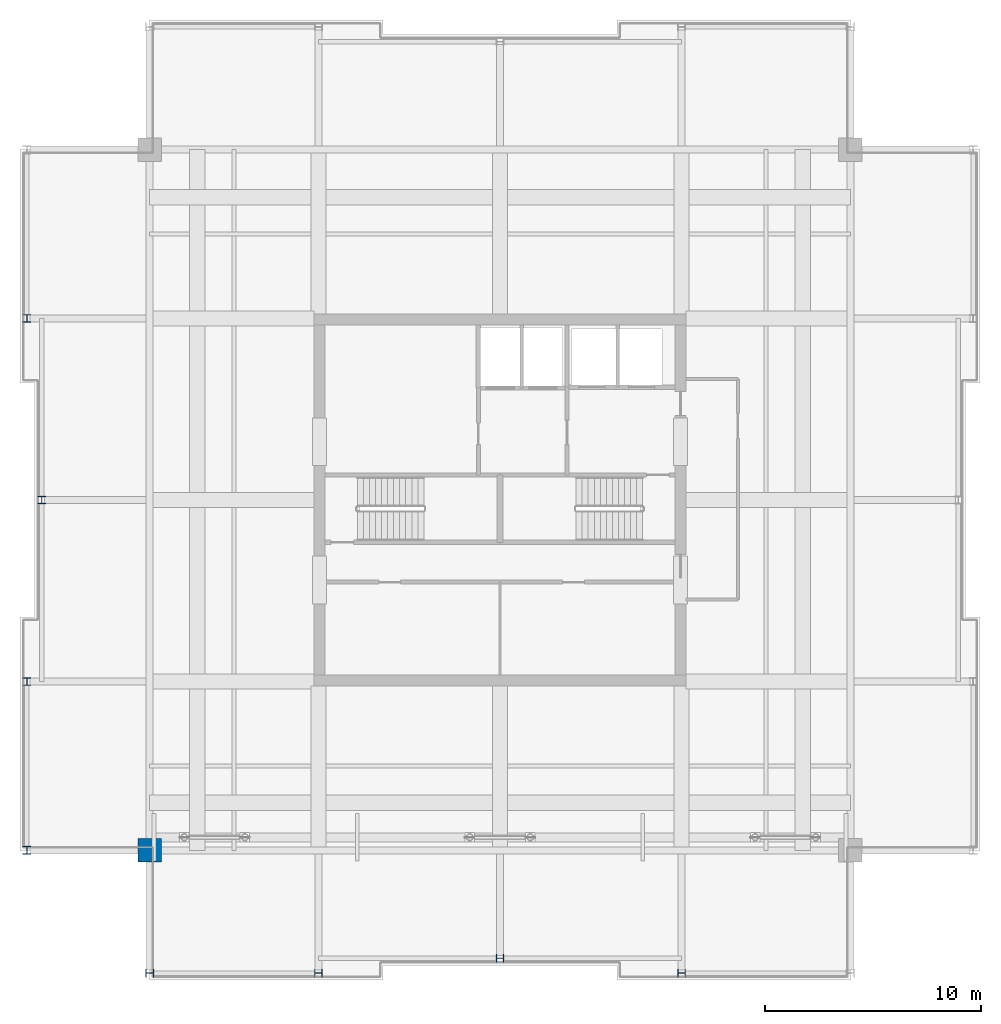
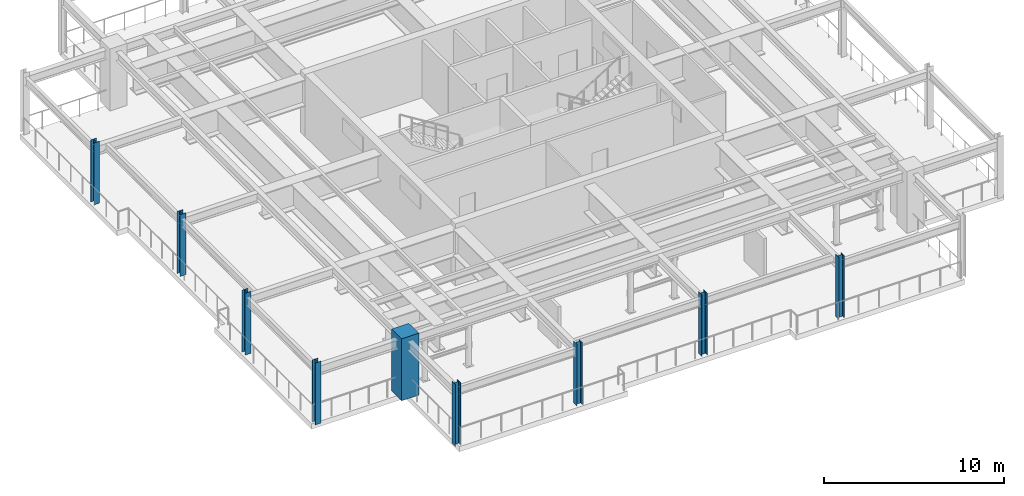
# One storey, part 1 of 12: 9 columns.
"""IFC4 building model written with IfcOpenShell, lengths in metres."""

from ifc_helpers import new_model, si_unit, direction, frame, origin, origin_2d, place, context, subcontext, project, spatial, rectangle, i_section, extrude, material, material_profile, profile_set, type_object, element, save


model = new_model("IFC4")

# Units and contexts
model_context = context("Model", 3, precision=1e-05, world=origin(), true_north=direction((0.0, 1.0)))
body_context = subcontext(model_context, "Body", "Model", "MODEL_VIEW")
ifc_project = project(units=[si_unit("LENGTHUNIT", "METRE"), si_unit("AREAUNIT", "SQUARE_METRE"), si_unit("VOLUMEUNIT", "CUBIC_METRE"), si_unit("PLANEANGLEUNIT", "RADIAN"), si_unit("MASSUNIT", "GRAM", prefix="KILO")], contexts=[model_context])

# Site, building, storey
site_placement = place(None, origin())
site = spatial("IfcSite", under=ifc_project, at=site_placement, CompositionType="ELEMENT")
building_placement = place(site_placement, origin())
building = spatial("IfcBuilding", under=site, at=building_placement, Name="Drelvath Grand Hotel", CompositionType="ELEMENT")
storey_placement = place(building_placement, frame((0.0, 0.0, 307.199951171875)))
storey = spatial("IfcBuildingStorey", under=building, at=storey_placement, Name="L80", CompositionType="ELEMENT", Elevation=307.199951171875)

# Columns
ifc_material_1 = material(Name="Concrete f'c 55 MPa", Category="concrete")
ifc_material_profile_1 = material_profile(ifc_material_1, rectangle(XDim=1.10009765625, YDim=1.10009765625, at=origin_2d()), Name="MC1100X1100")
ifc_profile_set_1 = profile_set([ifc_material_profile_1], Name="Concrete f'c 55 MPa")
column_type_1 = type_object("IfcColumnType", Name="Composite Mega Column MC1100X1100", PredefinedType="COLUMN", material=ifc_profile_set_1)
column_placement = place(storey_placement, frame((-16.199951171875, 10.800048828125, 0.0), z_axis=(0.0, 0.0, 1.0), x_axis=(1.0, 0.0, 0.0)))
element("IfcColumn", 1, at=column_placement, inside=storey, type_object=column_type_1, Name="L80 Composite Mega Column MC-SW", PredefinedType="COLUMN", context=body_context, shape_type="SweptSolid", body=[
    extrude(rectangle(XDim=1.10009765625, YDim=1.10009765625, at=origin_2d()), origin(), (0.0, 0.0, 1.0), 4.199951171875),
])
ifc_material_2 = material(Name="Steel ASTM A913 Gr 65", Category="steel")
ifc_material_profile_2 = material_profile(ifc_material_2, i_section(OverallWidth=0.368896484375, OverallDepth=0.356201171875, WebThickness=0.01123046875, FlangeThickness=0.01806640625, FilletRadius=0.02490234375, at=origin_2d()), Name="W14X90")
ifc_profile_set_2 = profile_set([ifc_material_profile_2], Name="Steel ASTM A913 Gr 65")
column_type_2 = type_object("IfcColumnType", Name="Perimeter Steel Column W14X90", PredefinedType="COLUMN", material=ifc_profile_set_2)
for number, where, z_axis, x_axis, name in (
    (2, (-21.8798828125, 10.800048828125, 0.0), (0.0, 0.0, 1.0), (1.0, 0.0, 0.0), "L80 Structural Column TCW-C"),
    (3, (-21.8798828125, 18.60009765625, 0.0), (0.0, 0.0, 1.0), (1.0, 0.0, 0.0), "L80 Structural Column TCW-D"),
    (4, (-21.199951171875, 27.0, 0.0), (0.0, 0.0, 1.0), (1.0, 0.0, 0.0), "L80 Structural Column TCW-E"),
    (5, (-21.8798828125, 35.39990234375, 0.0), (0.0, 0.0, 1.0), (1.0, 0.0, 0.0), "L80 Structural Column TCW-F"),
    (6, (-16.199951171875, 5.1201171875, 0.0), (0.0, 0.0, 1.0), (0.0, 1.0, 0.0), "L80 Structural Column TCS-3"),
    (7, (-8.39990234375, 5.1201171875, 0.0), (0.0, 0.0, 1.0), (0.0, 1.0, 0.0), "L80 Structural Column TCS-4"),
    (8, (0.0, 5.800048828125, 0.0), (0.0, 0.0, 1.0), (0.0, 1.0, 0.0), "L80 Structural Column TCS-5"),
    (9, (8.39990234375, 5.1201171875, 0.0), (0.0, 0.0, 1.0), (0.0, 1.0, 0.0), "L80 Structural Column TCS-6"),
):
    element("IfcColumn", number, at=place(storey_placement, frame(where, z_axis=z_axis, x_axis=x_axis)), inside=storey, type_object=column_type_2, Name=name, PredefinedType="COLUMN", context=body_context, shape_type="SweptSolid", body=[
        extrude(i_section(OverallWidth=0.368896484375, OverallDepth=0.356201171875, WebThickness=0.01123046875, FlangeThickness=0.01806640625, FilletRadius=0.02490234375, at=origin_2d()), origin(), (0.0, 0.0, 1.0), 4.197021484375),
    ])

save(model, "model.ifc")
